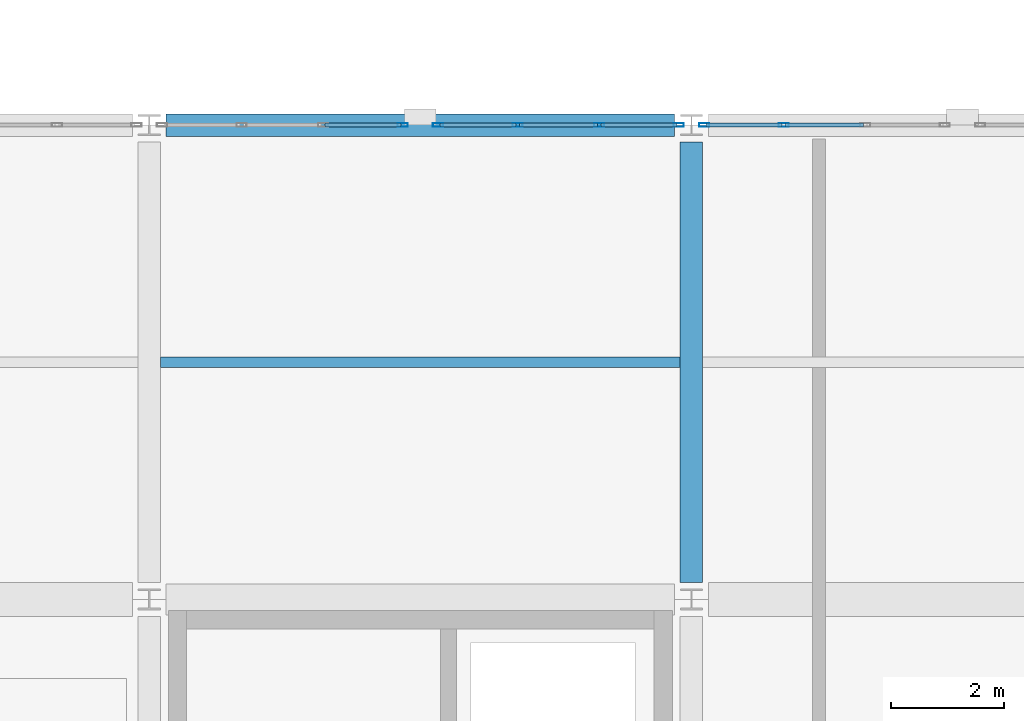
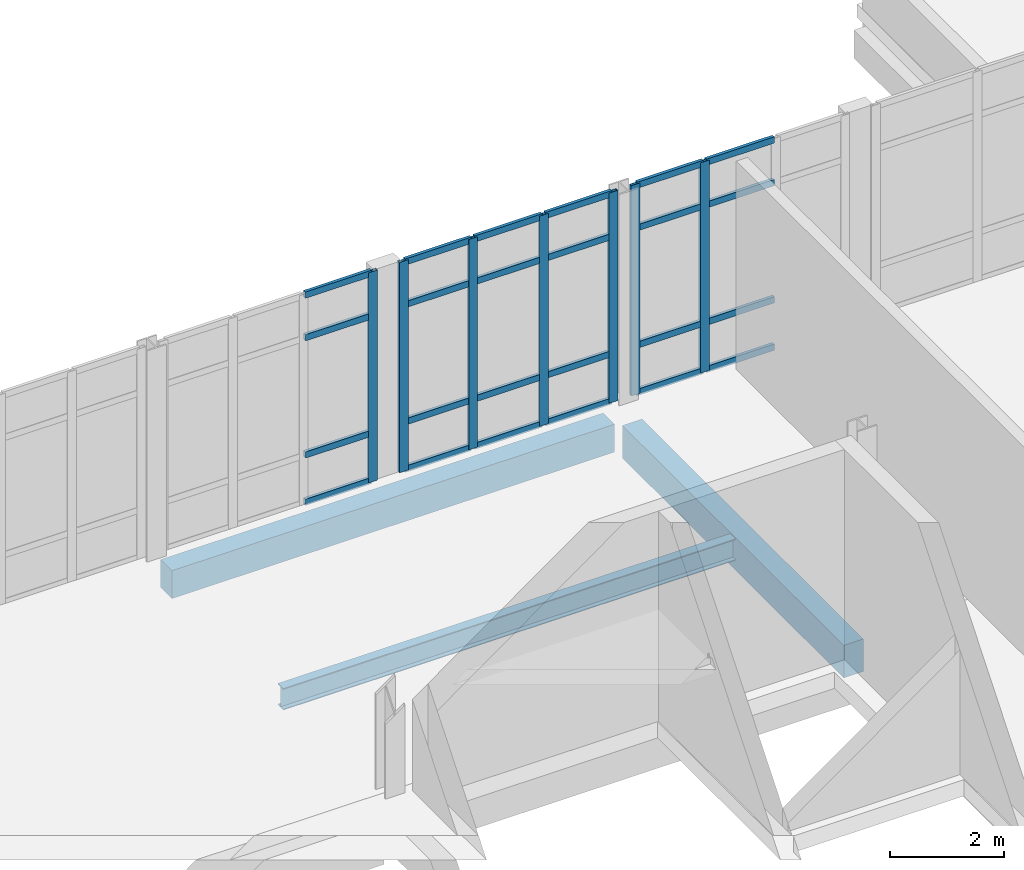
# One storey, part 58 of 102: 31 members, 3 beams, 3 elements without a shape of their own.
"""IFC4 building model written with IfcOpenShell, lengths in metres."""

from ifc_helpers import new_model, si_unit, direction, frame, origin, origin_2d, place, context, subcontext, project, spatial, rectangle, hollow_rectangle, i_section, extrude, material, layer, layer_set, material_profile, profile_set, type_object, element, aggregate, save


model = new_model("IFC4")

# Units and contexts
model_context = context("Model", 3, precision=1e-05, world=origin(), true_north=direction((0.0, 1.0)))
body_context = subcontext(model_context, "Body", "Model", "MODEL_VIEW")
ifc_project = project(units=[si_unit("LENGTHUNIT", "METRE"), si_unit("AREAUNIT", "SQUARE_METRE"), si_unit("VOLUMEUNIT", "CUBIC_METRE"), si_unit("PLANEANGLEUNIT", "RADIAN"), si_unit("MASSUNIT", "GRAM", prefix="KILO")], contexts=[model_context])

# Site, building, storey
site_placement = place(None, origin())
site = spatial("IfcSite", under=ifc_project, at=site_placement, CompositionType="ELEMENT")
building_placement = place(site_placement, origin())
building = spatial("IfcBuilding", under=site, at=building_placement, Name="Lornevale Opera House", CompositionType="ELEMENT")
storey_placement = place(building_placement, frame((0.0, 0.0, 5.39990234375)))
storey = spatial("IfcBuildingStorey", under=building, at=storey_placement, Name="L02", CompositionType="ELEMENT", Elevation=5.39990234375)

# Beams
ifc_material_1 = material(Name="Concrete 35 MPa (CSA A23.1 N)", Category="concrete")
ifc_material_profile_1 = material_profile(ifc_material_1, rectangle(XDim=0.39990234375, YDim=0.699951171875, at=origin_2d()), Name="RC400x700")
ifc_profile_set_1 = profile_set([ifc_material_profile_1], Name="Concrete 35 MPa (CSA A23.1 N)")
beam_type_1 = type_object("IfcBeamType", Name="Concrete Floor Beam 400x700", PredefinedType="USERDEFINED", material=ifc_profile_set_1)
beam_1_placement = place(storey_placement, frame((28.800048828125, 92.699951171875, -0.699951171875), z_axis=(0.0, 1.0, 0.0), x_axis=(-1.0, 0.0, 0.0)))
element("IfcBeam", 1, at=beam_1_placement, inside=storey, type_object=beam_type_1, Name="Concrete Floor Beam 400x700 1856", ObjectType="GIRDER", PredefinedType="USERDEFINED", context=body_context, shape_type="SweptSolid", body=[
    extrude(rectangle(XDim=0.39990234375, YDim=0.699951171875, at=origin_2d()), origin(), (0.0, 0.0, 1.0), 7.800048828125),
])
ifc_material_profile_2 = material_profile(ifc_material_1, rectangle(XDim=0.39990234375, YDim=0.60009765625, at=origin_2d()), Name="RC400x600")
ifc_profile_set_2 = profile_set([ifc_material_profile_2], Name="Concrete 35 MPa (CSA A23.1 N)")
beam_type_2 = type_object("IfcBeamType", Name="Concrete Spandrel Beam 400x600", PredefinedType="SPANDREL", material=ifc_profile_set_2)
beam_2_placement = place(storey_placement, frame((19.5, 100.800048828125, -0.64990234375), z_axis=(1.0, 0.0, 0.0), x_axis=(0.0, 1.0, 0.0)))
element("IfcBeam", 2, at=beam_2_placement, inside=storey, type_object=beam_type_2, Name="Concrete Spandrel Beam 400x600 1807", PredefinedType="SPANDREL", context=body_context, shape_type="SweptSolid", body=[
    extrude(rectangle(XDim=0.39990234375, YDim=0.60009765625, at=origin_2d()), origin(), (0.0, 0.0, 1.0), 9.0),
])

# Curtain wall, member
ifc_material_2 = material(Name="Anodized Oxide-Green Aluminium Framing", Category="aluminium")
ifc_layer = layer(ifc_material_2, 0.175048828125)
ifc_layer_set = layer_set([ifc_layer], Name="Anodized Oxide-Green Aluminium Framing")
curtain_wall_type = type_object("IfcCurtainWallType", Name="Chamber Cloister Curtain Wall M1700", PredefinedType="NOTDEFINED", material=ifc_layer_set)
curtain_wall_1_placement = place(storey_placement, origin())
curtain_wall_1 = element("IfcCurtainWall", 3, at=curtain_wall_1_placement, inside=storey, type_object=curtain_wall_type, Name="Chamber Cloister Curtain Wall M1700 CW-043", PredefinedType="NOTDEFINED")
ifc_material_profile_3 = material_profile(ifc_material_2, hollow_rectangle(XDim=0.06494140625, YDim=0.179931640625, WallThickness=0.0048828125, at=origin_2d()), Name="ALU65x180x5")
ifc_profile_set_3 = profile_set([ifc_material_profile_3], Name="Anodized Oxide-Green Aluminium Framing")
member_type_1 = type_object("IfcMemberType", Name="Curtain Wall Mullion 65x180", PredefinedType="MULLION", material=ifc_profile_set_3)
member_1_placement = place(storey_placement, frame((23.6875, 100.800048828125, 0.0), z_axis=(0.0, 0.0, 1.0), x_axis=(0.0, 1.0, 0.0)))
member_1 = element("IfcMember", 4, at=member_1_placement, type_object=member_type_1, Name="Curtain Wall Mullion 65x180 CW0886", PredefinedType="MULLION", context=body_context, shape_type="SweptSolid", body=[
    extrude(hollow_rectangle(XDim=0.06494140625, YDim=0.179931640625, WallThickness=0.0048828125, at=origin_2d()), origin(), (0.0, 0.0, 1.0), 4.52001953125),
])

# Curtain wall, members
curtain_wall_2_placement = place(storey_placement, origin())
curtain_wall_2 = element("IfcCurtainWall", 5, at=curtain_wall_2_placement, inside=storey, type_object=curtain_wall_type, Name="Chamber Cloister Curtain Wall M1700 CW-044", PredefinedType="NOTDEFINED")
member_2_placement = place(storey_placement, frame((24.3125, 100.800048828125, 0.0), z_axis=(0.0, 0.0, 1.0), x_axis=(0.0, 1.0, 0.0)))
member_2 = element("IfcMember", 6, at=member_2_placement, type_object=member_type_1, Name="Curtain Wall Mullion 65x180 CW0908", PredefinedType="MULLION", context=body_context, shape_type="SweptSolid", body=[
    extrude(hollow_rectangle(XDim=0.06494140625, YDim=0.179931640625, WallThickness=0.0048828125, at=origin_2d()), origin(), (0.0, 0.0, 1.0), 4.52001953125),
])
member_3_placement = place(storey_placement, frame((25.722412109375, 100.800048828125, 0.0), z_axis=(0.0, 0.0, 1.0), x_axis=(0.0, 1.0, 0.0)))
member_3 = element("IfcMember", 7, at=member_3_placement, type_object=member_type_1, Name="Curtain Wall Mullion 65x180 CW0909", PredefinedType="MULLION", context=body_context, shape_type="SweptSolid", body=[
    extrude(hollow_rectangle(XDim=0.06494140625, YDim=0.179931640625, WallThickness=0.0048828125, at=origin_2d()), origin(), (0.0, 0.0, 1.0), 4.52001953125),
])
member_4_placement = place(storey_placement, frame((27.164794921875, 100.800048828125, 0.0), z_axis=(0.0, 0.0, 1.0), x_axis=(0.0, 1.0, 0.0)))
member_4 = element("IfcMember", 8, at=member_4_placement, type_object=member_type_1, Name="Curtain Wall Mullion 65x180 CW0910", PredefinedType="MULLION", context=body_context, shape_type="SweptSolid", body=[
    extrude(hollow_rectangle(XDim=0.06494140625, YDim=0.179931640625, WallThickness=0.0048828125, at=origin_2d()), origin(), (0.0, 0.0, 1.0), 4.52001953125),
])
member_5_placement = place(storey_placement, frame((28.574462890625, 100.800048828125, 0.0), z_axis=(0.0, 0.0, 1.0), x_axis=(0.0, 1.0, 0.0)))
member_5 = element("IfcMember", 9, at=member_5_placement, type_object=member_type_1, Name="Curtain Wall Mullion 65x180 CW0911", PredefinedType="MULLION", context=body_context, shape_type="SweptSolid", body=[
    extrude(hollow_rectangle(XDim=0.06494140625, YDim=0.179931640625, WallThickness=0.0048828125, at=origin_2d()), origin(), (0.0, 0.0, 1.0), 4.52001953125),
])

curtain_wall_3_placement = place(storey_placement, origin())
curtain_wall_3 = element("IfcCurtainWall", 10, at=curtain_wall_3_placement, inside=storey, type_object=curtain_wall_type, Name="Chamber Cloister Curtain Wall M1700 CW-061", PredefinedType="NOTDEFINED")
member_6_placement = place(storey_placement, frame((29.025390625, 100.800048828125, 0.0), z_axis=(0.0, 0.0, 1.0), x_axis=(0.0, 1.0, 0.0)))
member_6 = element("IfcMember", 11, at=member_6_placement, type_object=member_type_1, Name="Curtain Wall Mullion 65x180 CW1213", PredefinedType="MULLION", context=body_context, shape_type="SweptSolid", body=[
    extrude(hollow_rectangle(XDim=0.06494140625, YDim=0.179931640625, WallThickness=0.0048828125, at=origin_2d()), origin(), (0.0, 0.0, 1.0), 4.52001953125),
])
member_7_placement = place(storey_placement, frame((30.435302734375, 100.800048828125, 0.0), z_axis=(0.0, 0.0, 1.0), x_axis=(0.0, 1.0, 0.0)))
member_7 = element("IfcMember", 12, at=member_7_placement, type_object=member_type_1, Name="Curtain Wall Mullion 65x180 CW1214", PredefinedType="MULLION", context=body_context, shape_type="SweptSolid", body=[
    extrude(hollow_rectangle(XDim=0.06494140625, YDim=0.179931640625, WallThickness=0.0048828125, at=origin_2d()), origin(), (0.0, 0.0, 1.0), 4.52001953125),
])

# Member
ifc_material_profile_4 = material_profile(ifc_material_2, hollow_rectangle(XDim=0.06494140625, YDim=0.135009765625, WallThickness=0.00390625, at=origin_2d()), Name="ALU65x135x4")
ifc_profile_set_4 = profile_set([ifc_material_profile_4], Name="Anodized Oxide-Green Aluminium Framing")
member_type_2 = type_object("IfcMemberType", Name="Curtain Wall Transom 65x135", PredefinedType="USERDEFINED", material=ifc_profile_set_4)
member_8_placement = place(storey_placement, frame((22.310302734375, 100.800048828125, 0.03271484375), z_axis=(1.0, 0.0, 0.0), x_axis=(0.0, 1.0, 0.0)))
member_8 = element("IfcMember", 13, at=member_8_placement, type_object=member_type_2, Name="Curtain Wall Transom 65x135 CW0901", ObjectType="TRANSOM", PredefinedType="USERDEFINED", context=body_context, shape_type="SweptSolid", body=[
    extrude(hollow_rectangle(XDim=0.06494140625, YDim=0.135009765625, WallThickness=0.00390625, at=origin_2d()), origin(), (0.0, 0.0, 1.0), 1.3447265625),
])

member_9_placement = place(storey_placement, frame((22.310302734375, 100.800048828125, 1.050048828125), z_axis=(1.0, 0.0, 0.0), x_axis=(0.0, 1.0, 0.0)))
member_9 = element("IfcMember", 14, at=member_9_placement, type_object=member_type_2, Name="Curtain Wall Transom 65x135 CW0902", ObjectType="TRANSOM", PredefinedType="USERDEFINED", context=body_context, shape_type="SweptSolid", body=[
    extrude(hollow_rectangle(XDim=0.06494140625, YDim=0.135009765625, WallThickness=0.00390625, at=origin_2d()), origin(), (0.0, 0.0, 1.0), 1.3447265625),
])

member_10_placement = place(storey_placement, frame((22.310302734375, 100.800048828125, 3.570068359375), z_axis=(1.0, 0.0, 0.0), x_axis=(0.0, 1.0, 0.0)))
member_10 = element("IfcMember", 15, at=member_10_placement, type_object=member_type_2, Name="Curtain Wall Transom 65x135 CW0903", ObjectType="TRANSOM", PredefinedType="USERDEFINED", context=body_context, shape_type="SweptSolid", body=[
    extrude(hollow_rectangle(XDim=0.06494140625, YDim=0.135009765625, WallThickness=0.00390625, at=origin_2d()), origin(), (0.0, 0.0, 1.0), 1.3447265625),
])

member_11_placement = place(storey_placement, frame((22.310302734375, 100.800048828125, 4.487548828125), z_axis=(1.0, 0.0, 0.0), x_axis=(0.0, 1.0, 0.0)))
member_11 = element("IfcMember", 16, at=member_11_placement, type_object=member_type_2, Name="Curtain Wall Transom 65x135 CW0904", ObjectType="TRANSOM", PredefinedType="USERDEFINED", context=body_context, shape_type="SweptSolid", body=[
    extrude(hollow_rectangle(XDim=0.06494140625, YDim=0.135009765625, WallThickness=0.00390625, at=origin_2d()), origin(), (0.0, 0.0, 1.0), 1.3447265625),
])

aggregate(curtain_wall_1, [member_1, member_8, member_9, member_10, member_11])

member_12_placement = place(storey_placement, frame((24.344970703125, 100.800048828125, 0.03271484375), z_axis=(1.0, 0.0, 0.0), x_axis=(0.0, 1.0, 0.0)))
member_12 = element("IfcMember", 17, at=member_12_placement, type_object=member_type_2, Name="Curtain Wall Transom 65x135 CW0912", ObjectType="TRANSOM", PredefinedType="USERDEFINED", context=body_context, shape_type="SweptSolid", body=[
    extrude(hollow_rectangle(XDim=0.06494140625, YDim=0.135009765625, WallThickness=0.00390625, at=origin_2d()), origin(), (0.0, 0.0, 1.0), 1.3447265625),
])

member_13_placement = place(storey_placement, frame((24.344970703125, 100.800048828125, 1.050048828125), z_axis=(1.0, 0.0, 0.0), x_axis=(0.0, 1.0, 0.0)))
member_13 = element("IfcMember", 18, at=member_13_placement, type_object=member_type_2, Name="Curtain Wall Transom 65x135 CW0913", ObjectType="TRANSOM", PredefinedType="USERDEFINED", context=body_context, shape_type="SweptSolid", body=[
    extrude(hollow_rectangle(XDim=0.06494140625, YDim=0.135009765625, WallThickness=0.00390625, at=origin_2d()), origin(), (0.0, 0.0, 1.0), 1.3447265625),
])

member_14_placement = place(storey_placement, frame((24.344970703125, 100.800048828125, 3.570068359375), z_axis=(1.0, 0.0, 0.0), x_axis=(0.0, 1.0, 0.0)))
member_14 = element("IfcMember", 19, at=member_14_placement, type_object=member_type_2, Name="Curtain Wall Transom 65x135 CW0914", ObjectType="TRANSOM", PredefinedType="USERDEFINED", context=body_context, shape_type="SweptSolid", body=[
    extrude(hollow_rectangle(XDim=0.06494140625, YDim=0.135009765625, WallThickness=0.00390625, at=origin_2d()), origin(), (0.0, 0.0, 1.0), 1.3447265625),
])

member_15_placement = place(storey_placement, frame((24.344970703125, 100.800048828125, 4.487548828125), z_axis=(1.0, 0.0, 0.0), x_axis=(0.0, 1.0, 0.0)))
member_15 = element("IfcMember", 20, at=member_15_placement, type_object=member_type_2, Name="Curtain Wall Transom 65x135 CW0915", ObjectType="TRANSOM", PredefinedType="USERDEFINED", context=body_context, shape_type="SweptSolid", body=[
    extrude(hollow_rectangle(XDim=0.06494140625, YDim=0.135009765625, WallThickness=0.00390625, at=origin_2d()), origin(), (0.0, 0.0, 1.0), 1.3447265625),
])

member_16_placement = place(storey_placement, frame((25.7548828125, 100.800048828125, 0.03271484375), z_axis=(1.0, 0.0, 0.0), x_axis=(0.0, 1.0, 0.0)))
member_16 = element("IfcMember", 21, at=member_16_placement, type_object=member_type_2, Name="Curtain Wall Transom 65x135 CW0919", ObjectType="TRANSOM", PredefinedType="USERDEFINED", context=body_context, shape_type="SweptSolid", body=[
    extrude(hollow_rectangle(XDim=0.06494140625, YDim=0.135009765625, WallThickness=0.00390625, at=origin_2d()), origin(), (0.0, 0.0, 1.0), 1.377197265625),
])

member_17_placement = place(storey_placement, frame((25.7548828125, 100.800048828125, 1.050048828125), z_axis=(1.0, 0.0, 0.0), x_axis=(0.0, 1.0, 0.0)))
member_17 = element("IfcMember", 22, at=member_17_placement, type_object=member_type_2, Name="Curtain Wall Transom 65x135 CW0920", ObjectType="TRANSOM", PredefinedType="USERDEFINED", context=body_context, shape_type="SweptSolid", body=[
    extrude(hollow_rectangle(XDim=0.06494140625, YDim=0.135009765625, WallThickness=0.00390625, at=origin_2d()), origin(), (0.0, 0.0, 1.0), 1.377197265625),
])

member_18_placement = place(storey_placement, frame((25.7548828125, 100.800048828125, 3.570068359375), z_axis=(1.0, 0.0, 0.0), x_axis=(0.0, 1.0, 0.0)))
member_18 = element("IfcMember", 23, at=member_18_placement, type_object=member_type_2, Name="Curtain Wall Transom 65x135 CW0921", ObjectType="TRANSOM", PredefinedType="USERDEFINED", context=body_context, shape_type="SweptSolid", body=[
    extrude(hollow_rectangle(XDim=0.06494140625, YDim=0.135009765625, WallThickness=0.00390625, at=origin_2d()), origin(), (0.0, 0.0, 1.0), 1.377197265625),
])

member_19_placement = place(storey_placement, frame((25.7548828125, 100.800048828125, 4.487548828125), z_axis=(1.0, 0.0, 0.0), x_axis=(0.0, 1.0, 0.0)))
member_19 = element("IfcMember", 24, at=member_19_placement, type_object=member_type_2, Name="Curtain Wall Transom 65x135 CW0922", ObjectType="TRANSOM", PredefinedType="USERDEFINED", context=body_context, shape_type="SweptSolid", body=[
    extrude(hollow_rectangle(XDim=0.06494140625, YDim=0.135009765625, WallThickness=0.00390625, at=origin_2d()), origin(), (0.0, 0.0, 1.0), 1.377197265625),
])

member_20_placement = place(storey_placement, frame((27.197265625, 100.800048828125, 0.03271484375), z_axis=(1.0, 0.0, 0.0), x_axis=(0.0, 1.0, 0.0)))
member_20 = element("IfcMember", 25, at=member_20_placement, type_object=member_type_2, Name="Curtain Wall Transom 65x135 CW0926", ObjectType="TRANSOM", PredefinedType="USERDEFINED", context=body_context, shape_type="SweptSolid", body=[
    extrude(hollow_rectangle(XDim=0.06494140625, YDim=0.135009765625, WallThickness=0.00390625, at=origin_2d()), origin(), (0.0, 0.0, 1.0), 1.3447265625),
])

member_21_placement = place(storey_placement, frame((27.197265625, 100.800048828125, 1.050048828125), z_axis=(1.0, 0.0, 0.0), x_axis=(0.0, 1.0, 0.0)))
member_21 = element("IfcMember", 26, at=member_21_placement, type_object=member_type_2, Name="Curtain Wall Transom 65x135 CW0927", ObjectType="TRANSOM", PredefinedType="USERDEFINED", context=body_context, shape_type="SweptSolid", body=[
    extrude(hollow_rectangle(XDim=0.06494140625, YDim=0.135009765625, WallThickness=0.00390625, at=origin_2d()), origin(), (0.0, 0.0, 1.0), 1.3447265625),
])

member_22_placement = place(storey_placement, frame((27.197265625, 100.800048828125, 3.570068359375), z_axis=(1.0, 0.0, 0.0), x_axis=(0.0, 1.0, 0.0)))
member_22 = element("IfcMember", 27, at=member_22_placement, type_object=member_type_2, Name="Curtain Wall Transom 65x135 CW0928", ObjectType="TRANSOM", PredefinedType="USERDEFINED", context=body_context, shape_type="SweptSolid", body=[
    extrude(hollow_rectangle(XDim=0.06494140625, YDim=0.135009765625, WallThickness=0.00390625, at=origin_2d()), origin(), (0.0, 0.0, 1.0), 1.3447265625),
])

member_23_placement = place(storey_placement, frame((27.197265625, 100.800048828125, 4.487548828125), z_axis=(1.0, 0.0, 0.0), x_axis=(0.0, 1.0, 0.0)))
member_23 = element("IfcMember", 28, at=member_23_placement, type_object=member_type_2, Name="Curtain Wall Transom 65x135 CW0929", ObjectType="TRANSOM", PredefinedType="USERDEFINED", context=body_context, shape_type="SweptSolid", body=[
    extrude(hollow_rectangle(XDim=0.06494140625, YDim=0.135009765625, WallThickness=0.00390625, at=origin_2d()), origin(), (0.0, 0.0, 1.0), 1.3447265625),
])

aggregate(curtain_wall_2, [member_2, member_3, member_4, member_5, member_12, member_13, member_14, member_15, member_16, member_17, member_18, member_19, member_20, member_21, member_22, member_23])

member_24_placement = place(storey_placement, frame((29.05810546875, 100.800048828125, 0.03271484375), z_axis=(1.0, 0.0, 0.0), x_axis=(0.0, 1.0, 0.0)))
member_24 = element("IfcMember", 29, at=member_24_placement, type_object=member_type_2, Name="Curtain Wall Transom 65x135 CW1217", ObjectType="TRANSOM", PredefinedType="USERDEFINED", context=body_context, shape_type="SweptSolid", body=[
    extrude(hollow_rectangle(XDim=0.06494140625, YDim=0.135009765625, WallThickness=0.00390625, at=origin_2d()), origin(), (0.0, 0.0, 1.0), 1.3447265625),
])

member_25_placement = place(storey_placement, frame((29.05810546875, 100.800048828125, 1.050048828125), z_axis=(1.0, 0.0, 0.0), x_axis=(0.0, 1.0, 0.0)))
member_25 = element("IfcMember", 30, at=member_25_placement, type_object=member_type_2, Name="Curtain Wall Transom 65x135 CW1218", ObjectType="TRANSOM", PredefinedType="USERDEFINED", context=body_context, shape_type="SweptSolid", body=[
    extrude(hollow_rectangle(XDim=0.06494140625, YDim=0.135009765625, WallThickness=0.00390625, at=origin_2d()), origin(), (0.0, 0.0, 1.0), 1.3447265625),
])

member_26_placement = place(storey_placement, frame((29.05810546875, 100.800048828125, 3.570068359375), z_axis=(1.0, 0.0, 0.0), x_axis=(0.0, 1.0, 0.0)))
member_26 = element("IfcMember", 31, at=member_26_placement, type_object=member_type_2, Name="Curtain Wall Transom 65x135 CW1219", ObjectType="TRANSOM", PredefinedType="USERDEFINED", context=body_context, shape_type="SweptSolid", body=[
    extrude(hollow_rectangle(XDim=0.06494140625, YDim=0.135009765625, WallThickness=0.00390625, at=origin_2d()), origin(), (0.0, 0.0, 1.0), 1.3447265625),
])

member_27_placement = place(storey_placement, frame((29.05810546875, 100.800048828125, 4.487548828125), z_axis=(1.0, 0.0, 0.0), x_axis=(0.0, 1.0, 0.0)))
member_27 = element("IfcMember", 32, at=member_27_placement, type_object=member_type_2, Name="Curtain Wall Transom 65x135 CW1220", ObjectType="TRANSOM", PredefinedType="USERDEFINED", context=body_context, shape_type="SweptSolid", body=[
    extrude(hollow_rectangle(XDim=0.06494140625, YDim=0.135009765625, WallThickness=0.00390625, at=origin_2d()), origin(), (0.0, 0.0, 1.0), 1.3447265625),
])

member_28_placement = place(storey_placement, frame((30.4677734375, 100.800048828125, 0.03271484375), z_axis=(1.0, 0.0, 0.0), x_axis=(0.0, 1.0, 0.0)))
member_28 = element("IfcMember", 33, at=member_28_placement, type_object=member_type_2, Name="Curtain Wall Transom 65x135 CW1224", ObjectType="TRANSOM", PredefinedType="USERDEFINED", context=body_context, shape_type="SweptSolid", body=[
    extrude(hollow_rectangle(XDim=0.06494140625, YDim=0.135009765625, WallThickness=0.00390625, at=origin_2d()), origin(), (0.0, 0.0, 1.0), 1.37744140625),
])

member_29_placement = place(storey_placement, frame((30.4677734375, 100.800048828125, 1.050048828125), z_axis=(1.0, 0.0, 0.0), x_axis=(0.0, 1.0, 0.0)))
member_29 = element("IfcMember", 34, at=member_29_placement, type_object=member_type_2, Name="Curtain Wall Transom 65x135 CW1225", ObjectType="TRANSOM", PredefinedType="USERDEFINED", context=body_context, shape_type="SweptSolid", body=[
    extrude(hollow_rectangle(XDim=0.06494140625, YDim=0.135009765625, WallThickness=0.00390625, at=origin_2d()), origin(), (0.0, 0.0, 1.0), 1.37744140625),
])

member_30_placement = place(storey_placement, frame((30.4677734375, 100.800048828125, 3.570068359375), z_axis=(1.0, 0.0, 0.0), x_axis=(0.0, 1.0, 0.0)))
member_30 = element("IfcMember", 35, at=member_30_placement, type_object=member_type_2, Name="Curtain Wall Transom 65x135 CW1226", ObjectType="TRANSOM", PredefinedType="USERDEFINED", context=body_context, shape_type="SweptSolid", body=[
    extrude(hollow_rectangle(XDim=0.06494140625, YDim=0.135009765625, WallThickness=0.00390625, at=origin_2d()), origin(), (0.0, 0.0, 1.0), 1.37744140625),
])

member_31_placement = place(storey_placement, frame((30.4677734375, 100.800048828125, 4.487548828125), z_axis=(1.0, 0.0, 0.0), x_axis=(0.0, 1.0, 0.0)))
member_31 = element("IfcMember", 36, at=member_31_placement, type_object=member_type_2, Name="Curtain Wall Transom 65x135 CW1227", ObjectType="TRANSOM", PredefinedType="USERDEFINED", context=body_context, shape_type="SweptSolid", body=[
    extrude(hollow_rectangle(XDim=0.06494140625, YDim=0.135009765625, WallThickness=0.00390625, at=origin_2d()), origin(), (0.0, 0.0, 1.0), 1.37744140625),
])

aggregate(curtain_wall_3, [member_6, member_7, member_24, member_25, member_26, member_27, member_28, member_29, member_30, member_31])

# Beam
ifc_material_3 = material(Name="Structural Steel CSA G40.21 Grade 350W (350 MPa)", Category="steel")
ifc_material_profile_5 = material_profile(ifc_material_3, i_section(OverallWidth=0.19189453125, OverallDepth=0.462890625, WebThickness=0.010498046875, FlangeThickness=0.017578125, at=origin_2d()), Name="W460x89")
ifc_profile_set_5 = profile_set([ifc_material_profile_5], Name="Structural Steel CSA G40.21 Grade 350W (350 MPa)")
beam_type_3 = type_object("IfcBeamType", Name="Steel Floor Joist W460x89", PredefinedType="JOIST", material=ifc_profile_set_5)
beam_3_placement = place(storey_placement, frame((19.39990234375, 96.60009765625, -0.596435546875), z_axis=(1.0, 0.0, 0.0), x_axis=(0.0, 1.0, 0.0)))
element("IfcBeam", 37, at=beam_3_placement, inside=storey, type_object=beam_type_3, Name="Steel Floor Joist W460x89 1989", PredefinedType="JOIST", context=body_context, shape_type="SweptSolid", body=[
    extrude(i_section(OverallWidth=0.19189453125, OverallDepth=0.462890625, WebThickness=0.010498046875, FlangeThickness=0.017578125, at=origin_2d()), origin(), (0.0, 0.0, 1.0), 9.2001953125),
])

save(model, "model.ifc")
